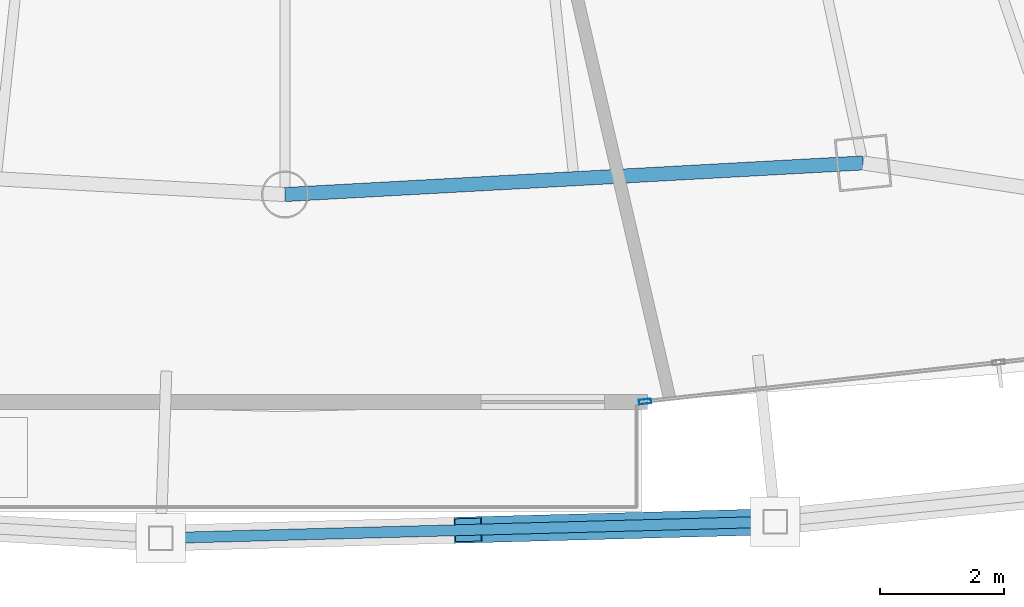
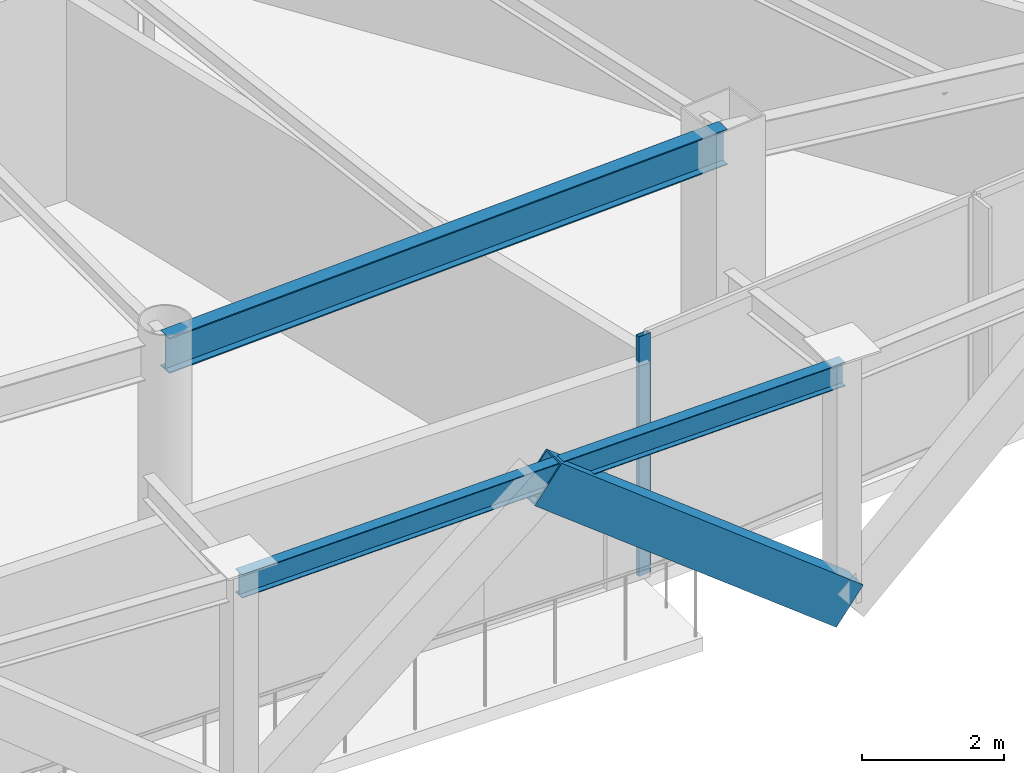
# One storey, part 8 of 28: 2 beams, 2 members, 1 element without a shape of its own.
"""IFC4 building model written with IfcOpenShell, lengths in metres."""

from ifc_helpers import new_model, si_unit, direction, frame, origin, origin_2d, place, context, subcontext, project, spatial, hollow_rectangle, i_section, extrude, material, layer, layer_set, material_profile, profile_set, type_object, element, aggregate, save


model = new_model("IFC4")

# Units and contexts
model_context = context("Model", 3, precision=1e-05, world=origin(), true_north=direction((0.0, 1.0)))
body_context = subcontext(model_context, "Body", "Model", "MODEL_VIEW")
ifc_project = project(units=[si_unit("LENGTHUNIT", "METRE"), si_unit("AREAUNIT", "SQUARE_METRE"), si_unit("VOLUMEUNIT", "CUBIC_METRE"), si_unit("PLANEANGLEUNIT", "RADIAN"), si_unit("MASSUNIT", "GRAM", prefix="KILO")], contexts=[model_context])

# Site, building, storey
site_placement = place(None, origin())
site = spatial("IfcSite", under=ifc_project, at=site_placement, CompositionType="ELEMENT")
building_placement = place(site_placement, origin())
building = spatial("IfcBuilding", under=site, at=building_placement, Name="Orvanel Arch Residences", CompositionType="ELEMENT")
storey_placement = place(building_placement, frame((0.0, 0.0, 146.300048828125)))
storey = spatial("IfcBuildingStorey", under=building, at=storey_placement, Name="L41", CompositionType="ELEMENT", Elevation=146.300048828125)

# Member
ifc_material_1 = material(Name="Structural steel AS/NZS 3678 Grade 350", Category="steel")
ifc_material_profile_1 = material_profile(ifc_material_1, hollow_rectangle(XDim=0.419921875, YDim=0.719970703125, WallThickness=0.02490234375, at=origin_2d()), Name="RHS720x420x25")
ifc_profile_set_1 = profile_set([ifc_material_profile_1], Name="Structural steel AS/NZS 3678 Grade 350")
member_type_1 = type_object("IfcMemberType", Name="BR-720RHS-EXT", PredefinedType="BRACE", material=ifc_profile_set_1)
member_1_placement = place(storey_placement, frame((40.930908203125, 1.551025390625, 0.0), z_axis=(-0.786049151266, -0.021040066177, 0.617805833098), x_axis=(0.026757274604, -0.999641960032, 0.0)))
element("IfcMember", 1, at=member_1_placement, inside=storey, type_object=member_type_1, Name="L41 Exterior Sky-Garden V-Frame Chevron F2B2.2", PredefinedType="BRACE", context=body_context, shape_type="SweptSolid", body=[
    extrude(hollow_rectangle(XDim=0.419921875, YDim=0.719970703125, WallThickness=0.02490234375, at=origin_2d()), origin(), (0.0, 0.0, 1.0), 6.323974609375),
])

# Curtain wall, member
ifc_material_2 = material(Name="Bronze-anodised aluminium AA6063-T6", Category="aluminium")
ifc_layer = layer(ifc_material_2, 0.195068359375)
ifc_layer_set = layer_set([ifc_layer], Name="Bronze-anodised aluminium AA6063-T6")
curtain_wall_type = type_object("IfcCurtainWallType", Name="CW6-COM-SYS", PredefinedType="NOTDEFINED", material=ifc_layer_set)
curtain_wall_placement = place(storey_placement, origin())
curtain_wall = element("IfcCurtainWall", 2, at=curtain_wall_placement, inside=storey, type_object=curtain_wall_type, Name="L41 CW6-COM-SYS Unitised Curtain Wall", PredefinedType="NOTDEFINED")
ifc_material_profile_2 = material_profile(ifc_material_2, hollow_rectangle(XDim=0.074951171875, YDim=0.199951171875, WallThickness=0.0048828125, at=origin_2d()), Name="ALU200x75x5")
ifc_profile_set_2 = profile_set([ifc_material_profile_2], Name="Bronze-anodised aluminium AA6063-T6")
member_type_2 = type_object("IfcMemberType", Name="MUL-200x75", PredefinedType="MULLION", material=ifc_profile_set_2)
member_2_placement = place(storey_placement, frame((38.8251953125, 3.4951171875, 0.0), z_axis=(0.0, 0.0, 1.0), x_axis=(-0.110090261109, 0.993921593693, 0.0)))
member_2 = element("IfcMember", 3, at=member_2_placement, type_object=member_type_2, Name="CW-S6 mullion 1", PredefinedType="MULLION", context=body_context, shape_type="SweptSolid", body=[
    extrude(hollow_rectangle(XDim=0.074951171875, YDim=0.199951171875, WallThickness=0.0048828125, at=origin_2d()), origin(), (0.0, 0.0, 1.0), 4.10986328125),
])
aggregate(curtain_wall, [member_2])

# Beams
ifc_material_3 = material(Name="Structural steel AS/NZS 3679.1 Grade 300 (300 MPa)", Category="steel")
ifc_material_profile_3 = material_profile(ifc_material_3, i_section(OverallWidth=0.177978515625, OverallDepth=0.406005859375, WebThickness=0.0078125, FlangeThickness=0.0126953125, at=origin_2d()), Name="410UB59.7")
ifc_profile_set_3 = profile_set([ifc_material_profile_3], Name="Structural steel AS/NZS 3679.1 Grade 300 (300 MPa)")
beam_type_1 = type_object("IfcBeamType", Name="OB-410UB-EXT", PredefinedType="SPANDREL", material=ifc_profile_set_3)
beam_1_placement = place(storey_placement, frame((30.989013671875, 1.284912109375, 3.906982421875), z_axis=(0.999641960032, 0.026757274604, 0.0), x_axis=(-0.026757274604, 0.999641960032, 0.0)))
element("IfcBeam", 4, at=beam_1_placement, inside=storey, type_object=beam_type_1, Name="L41 Outer Perimeter Floor Ring Beam 06", PredefinedType="SPANDREL", context=body_context, shape_type="SweptSolid", body=[
    extrude(i_section(OverallWidth=0.177978515625, OverallDepth=0.406005859375, WebThickness=0.0078125, FlangeThickness=0.0126953125, at=origin_2d()), origin(), (0.0, 0.0, 1.0), 9.945556640625),
])
ifc_material_profile_4 = material_profile(ifc_material_3, i_section(OverallWidth=0.22900390625, OverallDepth=0.612060546875, WebThickness=0.011962890625, FlangeThickness=0.01953125, at=origin_2d()), Name="610UB125")
ifc_profile_set_4 = profile_set([ifc_material_profile_4], Name="Structural steel AS/NZS 3679.1 Grade 300 (300 MPa)")
beam_type_2 = type_object("IfcBeamType", Name="SP-610UB", PredefinedType="SPANDREL", material=ifc_profile_set_4)
beam_2_placement = place(storey_placement, frame((33.0, 6.843994140625, 3.803955078125), z_axis=(0.998510315598, 0.054563262768, 0.0), x_axis=(-0.054563262768, 0.998510315598, 0.0)))
element("IfcBeam", 5, at=beam_2_placement, inside=storey, type_object=beam_type_2, Name="L41 Perimeter Spandrel Beam 06", PredefinedType="SPANDREL", context=body_context, shape_type="SweptSolid", body=[
    extrude(i_section(OverallWidth=0.22900390625, OverallDepth=0.612060546875, WebThickness=0.011962890625, FlangeThickness=0.01953125, at=origin_2d()), origin(), (0.0, 0.0, 1.0), 9.364990234375),
])

save(model, "model.ifc")
